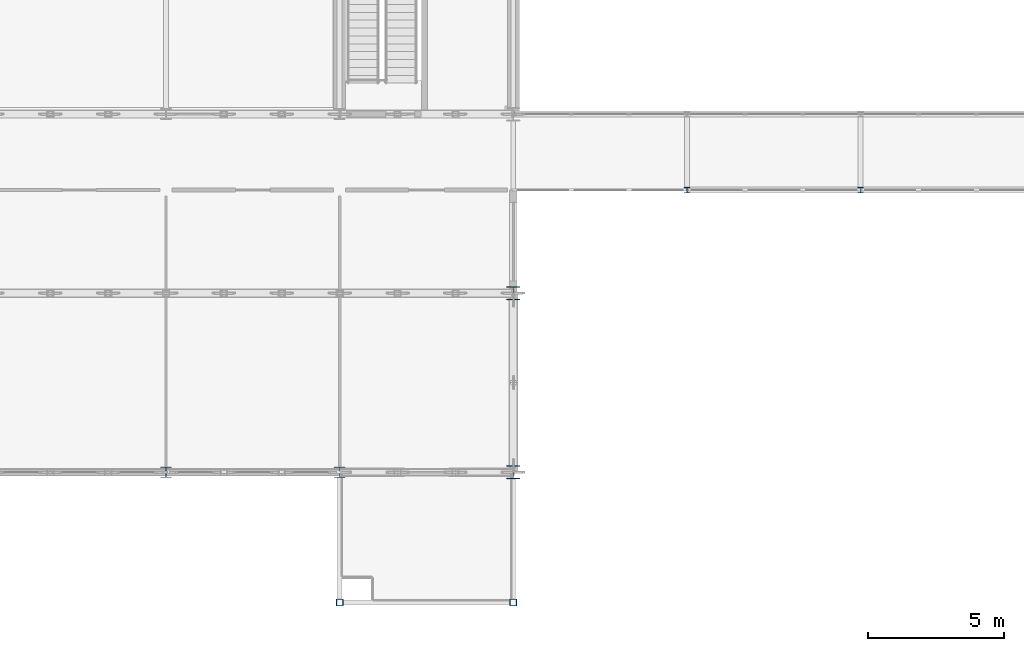
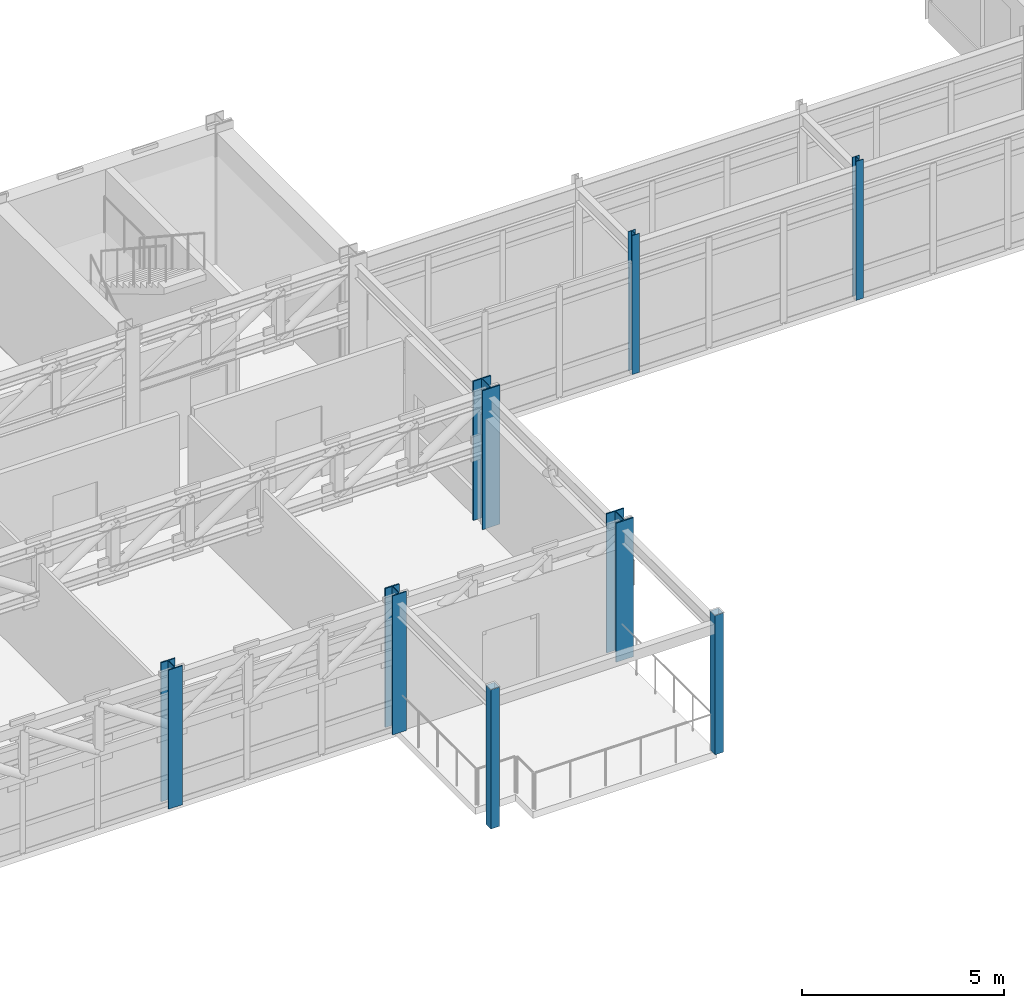
# One storey, part 7 of 144: 8 columns.
"""IFC4 building model written with IfcOpenShell, lengths in metres."""

from ifc_helpers import new_model, si_unit, direction, frame, origin, origin_2d, place, context, subcontext, project, spatial, hollow_rectangle, i_section, extrude, material, material_profile, profile_set, type_object, element, save


model = new_model("IFC4")

# Units and contexts
model_context = context("Model", 3, precision=1e-05, world=origin(), true_north=direction((0.0, 1.0)))
body_context = subcontext(model_context, "Body", "Model", "MODEL_VIEW")
ifc_project = project(units=[si_unit("LENGTHUNIT", "METRE"), si_unit("AREAUNIT", "SQUARE_METRE"), si_unit("VOLUMEUNIT", "CUBIC_METRE"), si_unit("PLANEANGLEUNIT", "RADIAN"), si_unit("MASSUNIT", "GRAM", prefix="KILO")], contexts=[model_context])

# Site, building, storey
site_placement = place(None, origin())
site = spatial("IfcSite", under=ifc_project, at=site_placement, CompositionType="ELEMENT")
building_placement = place(site_placement, origin())
building = spatial("IfcBuilding", under=site, at=building_placement, Name="Trelmorton Wharf Fire Station", CompositionType="ELEMENT")
storey_placement = place(building_placement, frame((0.0, 0.0, 5.39990234375)))
storey = spatial("IfcBuildingStorey", under=building, at=storey_placement, Name="L01", CompositionType="ELEMENT", Elevation=5.39990234375)

# Columns
ifc_material_1 = material(Name="Steel Grade 350", Category="steel")
ifc_material_profile_1 = material_profile(ifc_material_1, i_section(OverallWidth=0.205078125, OverallDepth=0.2099609375, WebThickness=0.00927734375, FlangeThickness=0.01416015625, FilletRadius=0.011474609375, at=origin_2d()), Name="200UC59.5")
ifc_profile_set_1 = profile_set([ifc_material_profile_1], Name="Steel Grade 350")
column_type_1 = type_object("IfcColumnType", Name="COL_200UC60", PredefinedType="COLUMN", material=ifc_profile_set_1)
for number, where, z_axis, x_axis, name in (
    (1, (90.0, 18.199951171875, 0.0), (0.0, 0.0, 1.0), (1.0, 0.0, 0.0), "COL-L01-0364"),
    (2, (96.39990234375, 18.199951171875, 0.0), (0.0, 0.0, 1.0), (1.0, 0.0, 0.0), "COL-L01-0371"),
):
    element("IfcColumn", number, at=place(storey_placement, frame(where, z_axis=z_axis, x_axis=x_axis)), inside=storey, type_object=column_type_1, Name=name, PredefinedType="COLUMN", context=body_context, shape_type="SweptSolid", body=[
        extrude(i_section(OverallWidth=0.205078125, OverallDepth=0.2099609375, WebThickness=0.00927734375, FlangeThickness=0.01416015625, FilletRadius=0.011474609375, at=origin_2d()), origin(), (0.0, 0.0, 1.0), 4.2001953125),
    ])
ifc_material_profile_2 = material_profile(ifc_material_1, i_section(OverallWidth=0.39990234375, OverallDepth=0.39990234375, WebThickness=0.02001953125, FlangeThickness=0.031982421875, at=origin_2d()), Name="400WC270")
ifc_profile_set_2 = profile_set([ifc_material_profile_2], Name="Steel Grade 350")
column_type_2 = type_object("IfcColumnType", Name="COL_400WC270", PredefinedType="COLUMN", material=ifc_profile_set_2)
for number, where, z_axis, x_axis, name in (
    (3, (70.800048828125, 7.800048828125, 0.0), (0.0, 0.0, 1.0), (1.0, 0.0, 0.0), "COL-L01-0337"),
    (4, (77.199951171875, 7.800048828125, 0.0), (0.0, 0.0, 1.0), (1.0, 0.0, 0.0), "COL-L01-0346"),
):
    element("IfcColumn", number, at=place(storey_placement, frame(where, z_axis=z_axis, x_axis=x_axis)), inside=storey, type_object=column_type_2, Name=name, PredefinedType="COLUMN", context=body_context, shape_type="SweptSolid", body=[
        extrude(i_section(OverallWidth=0.39990234375, OverallDepth=0.39990234375, WebThickness=0.02001953125, FlangeThickness=0.031982421875, at=origin_2d()), origin(), (0.0, 0.0, 1.0), 4.2001953125),
    ])
ifc_material_profile_3 = material_profile(ifc_material_1, i_section(OverallWidth=0.5, OverallDepth=0.5, WebThickness=0.02001953125, FlangeThickness=0.035888671875, at=origin_2d()), Name="500WC340")
ifc_profile_set_3 = profile_set([ifc_material_profile_3], Name="Steel Grade 350")
column_type_3 = type_object("IfcColumnType", Name="COL_500WC340", PredefinedType="COLUMN", material=ifc_profile_set_3)
for number, where, z_axis, x_axis, name in (
    (5, (83.60009765625, 7.800048828125, 0.0), (0.0, 0.0, 1.0), (1.0, 0.0, 0.0), "COL-L01-0355"),
    (6, (83.60009765625, 14.39990234375, 0.0), (0.0, 0.0, 1.0), (1.0, 0.0, 0.0), "COL-L01-0356"),
):
    element("IfcColumn", number, at=place(storey_placement, frame(where, z_axis=z_axis, x_axis=x_axis)), inside=storey, type_object=column_type_3, Name=name, PredefinedType="COLUMN", context=body_context, shape_type="SweptSolid", body=[
        extrude(i_section(OverallWidth=0.5, OverallDepth=0.5, WebThickness=0.02001953125, FlangeThickness=0.035888671875, at=origin_2d()), origin(), (0.0, 0.0, 1.0), 4.2001953125),
    ])
ifc_material_2 = material(Name="Signal-red architectural steel Grade 350", Category="steel")
ifc_material_profile_4 = material_profile(ifc_material_2, hollow_rectangle(XDim=0.25, YDim=0.25, WallThickness=0.012451171875, at=origin_2d()), Name="250x250x12.5SHS")
ifc_profile_set_4 = profile_set([ifc_material_profile_4], Name="Signal-red architectural steel Grade 350")
column_type_4 = type_object("IfcColumnType", Name="COL_RED_250SHS", PredefinedType="COLUMN", material=ifc_profile_set_4)
for number, where, z_axis, x_axis, name in (
    (7, (77.199951171875, 3.0, 0.0), (0.0, 0.0, 1.0), (1.0, 0.0, 0.0), "COL-L01-0345"),
    (8, (83.60009765625, 3.0, 0.0), (0.0, 0.0, 1.0), (1.0, 0.0, 0.0), "COL-L01-0354"),
):
    element("IfcColumn", number, at=place(storey_placement, frame(where, z_axis=z_axis, x_axis=x_axis)), inside=storey, type_object=column_type_4, Name=name, PredefinedType="COLUMN", context=body_context, shape_type="SweptSolid", body=[
        extrude(hollow_rectangle(XDim=0.25, YDim=0.25, WallThickness=0.012451171875, at=origin_2d()), origin(), (0.0, 0.0, 1.0), 4.2001953125),
    ])

save(model, "model.ifc")
